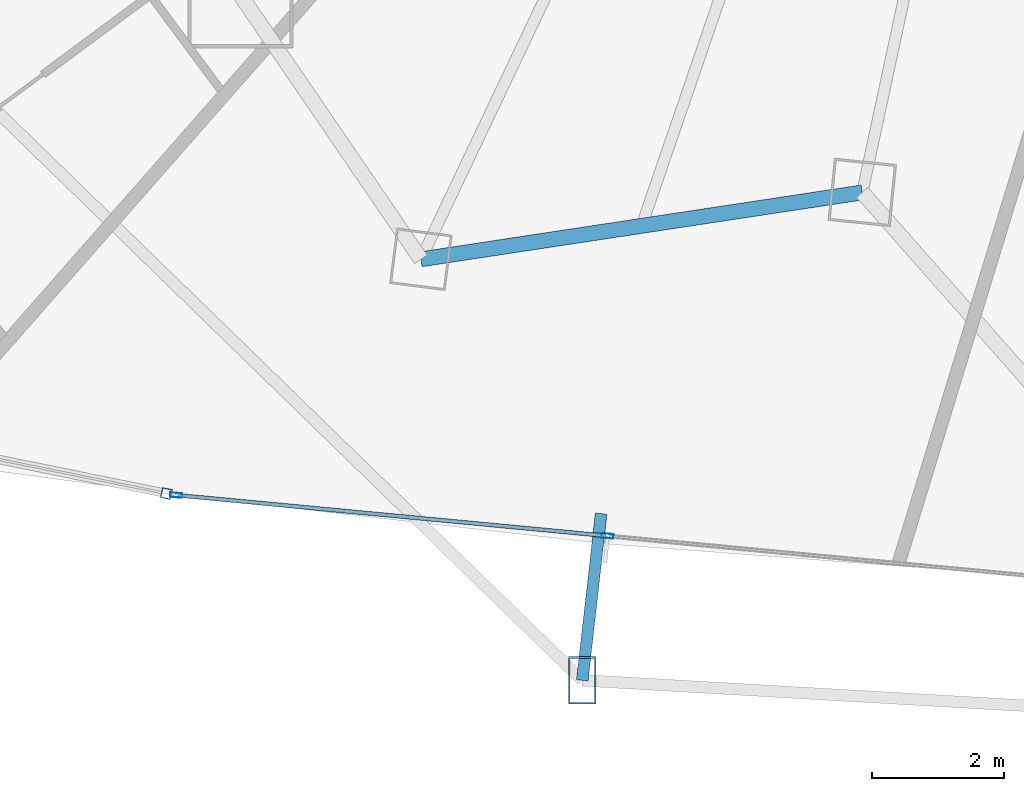
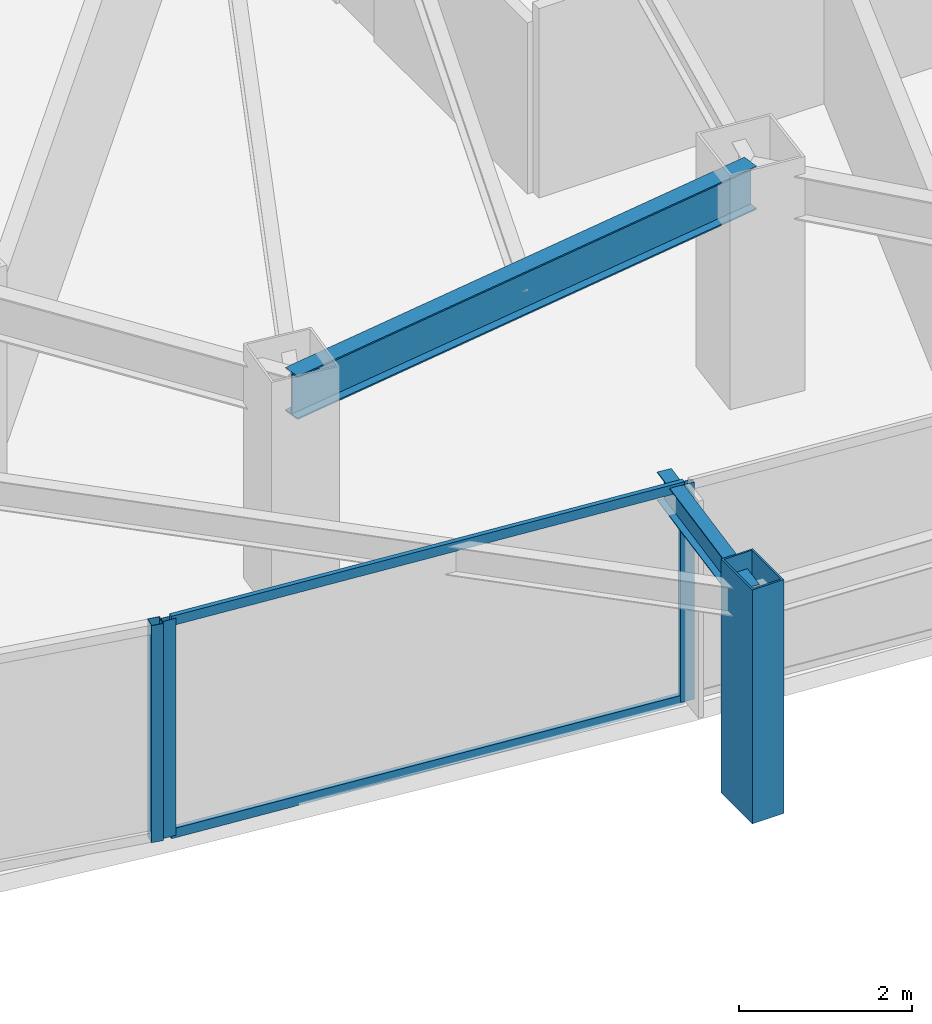
# One storey, part 4 of 38: 6 members, 2 beams, 2 elements without a shape of their own.
"""IFC4 building model written with IfcOpenShell, lengths in metres."""

from ifc_helpers import new_model, si_unit, direction, frame, origin, origin_2d, place, context, subcontext, project, spatial, hollow_rectangle, i_section, extrude, material, layer, layer_set, material_profile, profile_set, type_object, element, aggregate, save


model = new_model("IFC4")

# Units and contexts
model_context = context("Model", 3, precision=1e-05, world=origin(), true_north=direction((0.0, 1.0)))
body_context = subcontext(model_context, "Body", "Model", "MODEL_VIEW")
ifc_project = project(units=[si_unit("LENGTHUNIT", "METRE"), si_unit("AREAUNIT", "SQUARE_METRE"), si_unit("VOLUMEUNIT", "CUBIC_METRE"), si_unit("PLANEANGLEUNIT", "RADIAN"), si_unit("MASSUNIT", "GRAM", prefix="KILO")], contexts=[model_context])

# Site, building, storey
site_placement = place(None, origin())
site = spatial("IfcSite", under=ifc_project, at=site_placement, CompositionType="ELEMENT")
building_placement = place(site_placement, origin())
building = spatial("IfcBuilding", under=site, at=building_placement, Name="Orvanel Arch Residences", CompositionType="ELEMENT")
storey_placement = place(building_placement, frame((0.0, 0.0, 43.39990234375)))
storey = spatial("IfcBuildingStorey", under=building, at=storey_placement, Name="L11", CompositionType="ELEMENT", Elevation=43.39990234375)

# Member
ifc_material_1 = material(Name="Structural steel AS/NZS 3678 Grade 350", Category="steel")
ifc_material_profile_1 = material_profile(ifc_material_1, hollow_rectangle(XDim=0.419921875, YDim=0.719970703125, WallThickness=0.02490234375, at=origin_2d()), Name="RHS720x420x25")
ifc_profile_set_1 = profile_set([ifc_material_profile_1], Name="Structural steel AS/NZS 3678 Grade 350")
member_type_1 = type_object("IfcMemberType", Name="CH-720RHS-EXT", PredefinedType="CHORD", material=ifc_profile_set_1)
member_1_placement = place(storey_placement, frame((19.39306640625, -0.06005859375, 0.0), z_axis=(0.0, 0.0, 1.0), x_axis=(1.0, 0.0, 0.0)))
element("IfcMember", 1, at=member_1_placement, inside=storey, type_object=member_type_1, Name="L11 Outer Perimeter Frame Post 05", PredefinedType="CHORD", context=body_context, shape_type="SweptSolid", body=[
    extrude(hollow_rectangle(XDim=0.419921875, YDim=0.719970703125, WallThickness=0.02490234375, at=origin_2d()), origin(), (0.0, 0.0, 1.0), 3.300048828125),
])

# Curtain wall, member
ifc_material_2 = material(Name="Bronze-anodised aluminium AA6063-T6", Category="aluminium")
ifc_layer_1 = layer(ifc_material_2, 0.18994140625)
ifc_layer_set_1 = layer_set([ifc_layer_1], Name="Bronze-anodised aluminium AA6063-T6")
curtain_wall_type_1 = type_object("IfcCurtainWallType", Name="CW5-CRN-SYS", PredefinedType="NOTDEFINED", material=ifc_layer_set_1)
curtain_wall_1_placement = place(storey_placement, origin())
curtain_wall_1 = element("IfcCurtainWall", 2, at=curtain_wall_1_placement, inside=storey, type_object=curtain_wall_type_1, Name="L11 CW5-CRN-SYS Unitised Curtain Wall", PredefinedType="NOTDEFINED")
ifc_material_profile_2 = material_profile(ifc_material_2, hollow_rectangle(XDim=0.14990234375, YDim=0.14990234375, WallThickness=0.0048828125, at=origin_2d()), Name="ALU150x150x5")
ifc_profile_set_2 = profile_set([ifc_material_profile_2], Name="Bronze-anodised aluminium AA6063-T6")
member_type_2 = type_object("IfcMemberType", Name="MUL-150x150", PredefinedType="MULLION", material=ifc_profile_set_2)
member_2_placement = place(storey_placement, frame((13.072509765625, 2.779052734375, 0.0), z_axis=(0.0, 0.0, 1.0), x_axis=(0.199178527808, 0.979963220769, 0.0)))
member_2 = element("IfcMember", 3, at=member_2_placement, type_object=member_type_2, Name="CW-S5 mullion 3", PredefinedType="MULLION", context=body_context, shape_type="SweptSolid", body=[
    extrude(hollow_rectangle(XDim=0.14990234375, YDim=0.14990234375, WallThickness=0.0048828125, at=origin_2d()), origin(), (0.0, 0.0, 1.0), 3.06005859375),
])
aggregate(curtain_wall_1, [member_2])

# Curtain wall, members
ifc_layer_2 = layer(ifc_material_2, 0.179931640625)
ifc_layer_set_2 = layer_set([ifc_layer_2], Name="Bronze-anodised aluminium AA6063-T6")
curtain_wall_type_2 = type_object("IfcCurtainWallType", Name="CW2-LOW-SYS", PredefinedType="NOTDEFINED", material=ifc_layer_set_2)
curtain_wall_2_placement = place(storey_placement, origin())
curtain_wall_2 = element("IfcCurtainWall", 4, at=curtain_wall_2_placement, inside=storey, type_object=curtain_wall_type_2, Name="L11 CW2-LOW-SYS Unitised Curtain Wall", PredefinedType="NOTDEFINED")
ifc_material_profile_3 = material_profile(ifc_material_2, hollow_rectangle(XDim=0.070068359375, YDim=0.179931640625, WallThickness=0.00439453125, at=origin_2d()), Name="ALU180x70x4.5")
ifc_profile_set_3 = profile_set([ifc_material_profile_3], Name="Bronze-anodised aluminium AA6063-T6")
member_type_3 = type_object("IfcMemberType", Name="MUL-180x70", PredefinedType="MULLION", material=ifc_profile_set_3)
member_3_placement = place(storey_placement, frame((13.220947265625, 2.754638671875, 0.0), z_axis=(0.0, 0.0, 1.0), x_axis=(0.094246004419, 0.995548939355, 0.0)))
member_3 = element("IfcMember", 5, at=member_3_placement, type_object=member_type_3, Name="CW-S2 mullion 1", PredefinedType="MULLION", context=body_context, shape_type="SweptSolid", body=[
    extrude(hollow_rectangle(XDim=0.070068359375, YDim=0.179931640625, WallThickness=0.00439453125, at=origin_2d()), origin(), (0.0, 0.0, 1.0), 3.06005859375),
])
member_4_placement = place(storey_placement, frame((19.777587890625, 2.134033203125, 0.0), z_axis=(0.0, 0.0, 1.0), x_axis=(0.094246004419, 0.995548939355, 0.0)))
member_4 = element("IfcMember", 6, at=member_4_placement, type_object=member_type_3, Name="CW-S2 mullion 2", PredefinedType="MULLION", context=body_context, shape_type="SweptSolid", body=[
    extrude(hollow_rectangle(XDim=0.070068359375, YDim=0.179931640625, WallThickness=0.00439453125, at=origin_2d()), origin(), (0.0, 0.0, 1.0), 3.06005859375),
])

# Beams
ifc_material_3 = material(Name="Structural steel AS/NZS 3679.1 Grade 300 (300 MPa)", Category="steel")
ifc_material_profile_4 = material_profile(ifc_material_3, i_section(OverallWidth=0.177978515625, OverallDepth=0.406005859375, WebThickness=0.0078125, FlangeThickness=0.0126953125, at=origin_2d()), Name="410UB59.7")
ifc_profile_set_4 = profile_set([ifc_material_profile_4], Name="Structural steel AS/NZS 3679.1 Grade 300 (300 MPa)")
beam_type_1 = type_object("IfcBeamType", Name="OB-410UB-EXT", PredefinedType="SPANDREL", material=ifc_profile_set_4)
beam_1_placement = place(storey_placement, frame((19.679931640625, 2.472900390625, 2.857177734375), z_axis=(-0.112533619601, -0.993647917755, 0.0), x_axis=(0.993647917755, -0.112533619601, 0.0)))
element("IfcBeam", 7, at=beam_1_placement, inside=storey, type_object=beam_type_1, Name="L11 Outer Frame Radial Tie Beam 05", PredefinedType="SPANDREL", context=body_context, shape_type="SweptSolid", body=[
    extrude(i_section(OverallWidth=0.177978515625, OverallDepth=0.406005859375, WebThickness=0.0078125, FlangeThickness=0.0126953125, at=origin_2d()), origin(), (0.0, 0.0, 1.0), 2.549072265625),
])
ifc_material_profile_5 = material_profile(ifc_material_3, i_section(OverallWidth=0.22900390625, OverallDepth=0.612060546875, WebThickness=0.011962890625, FlangeThickness=0.01953125, at=origin_2d()), Name="610UB125")
ifc_profile_set_5 = profile_set([ifc_material_profile_5], Name="Structural steel AS/NZS 3679.1 Grade 300 (300 MPa)")
beam_type_2 = type_object("IfcBeamType", Name="SP-610UB", PredefinedType="SPANDREL", material=ifc_profile_set_5)
beam_2_placement = place(storey_placement, frame((16.94091796875, 6.339111328125, 2.754150390625), z_axis=(0.988726323014, 0.149733958002, 0.0), x_axis=(-0.149733958002, 0.988726323014, 0.0)))
element("IfcBeam", 8, at=beam_2_placement, inside=storey, type_object=beam_type_2, Name="L11 Perimeter Spandrel Beam 04", PredefinedType="SPANDREL", context=body_context, shape_type="SweptSolid", body=[
    extrude(i_section(OverallWidth=0.22900390625, OverallDepth=0.612060546875, WebThickness=0.011962890625, FlangeThickness=0.01953125, at=origin_2d()), origin(), (0.0, 0.0, 1.0), 6.784423828125),
])

# Member
ifc_material_profile_6 = material_profile(ifc_material_2, hollow_rectangle(XDim=0.06005859375, YDim=0.135009765625, WallThickness=0.00390625, at=origin_2d()), Name="ALU135x60x4")
ifc_profile_set_6 = profile_set([ifc_material_profile_6], Name="Bronze-anodised aluminium AA6063-T6")
member_type_4 = type_object("IfcMemberType", Name="TRN-135x60", PredefinedType="USERDEFINED", material=ifc_profile_set_6)
member_5_placement = place(storey_placement, frame((13.255615234375, 2.75146484375, 0.030029296875), z_axis=(0.995546853795, -0.094268032221, 0.0), x_axis=(0.094268032221, 0.995546853795, 0.0)))
member_5 = element("IfcMember", 9, at=member_5_placement, type_object=member_type_4, Name="CW-S2 transom 1.1", ObjectType="TRANSOM", PredefinedType="USERDEFINED", context=body_context, shape_type="SweptSolid", body=[
    extrude(hollow_rectangle(XDim=0.06005859375, YDim=0.135009765625, WallThickness=0.00390625, at=origin_2d()), origin(), (0.0, 0.0, 1.0), 6.51611328125),
])

member_6_placement = place(storey_placement, frame((13.255615234375, 2.75146484375, 3.030029296875), z_axis=(0.995546853795, -0.094268032221, 0.0), x_axis=(0.094268032221, 0.995546853795, 0.0)))
member_6 = element("IfcMember", 10, at=member_6_placement, type_object=member_type_4, Name="CW-S2 transom 1.2", ObjectType="TRANSOM", PredefinedType="USERDEFINED", context=body_context, shape_type="SweptSolid", body=[
    extrude(hollow_rectangle(XDim=0.06005859375, YDim=0.135009765625, WallThickness=0.00390625, at=origin_2d()), origin(), (0.0, 0.0, 1.0), 6.51611328125),
])

aggregate(curtain_wall_2, [member_3, member_4, member_5, member_6])

save(model, "model.ifc")
